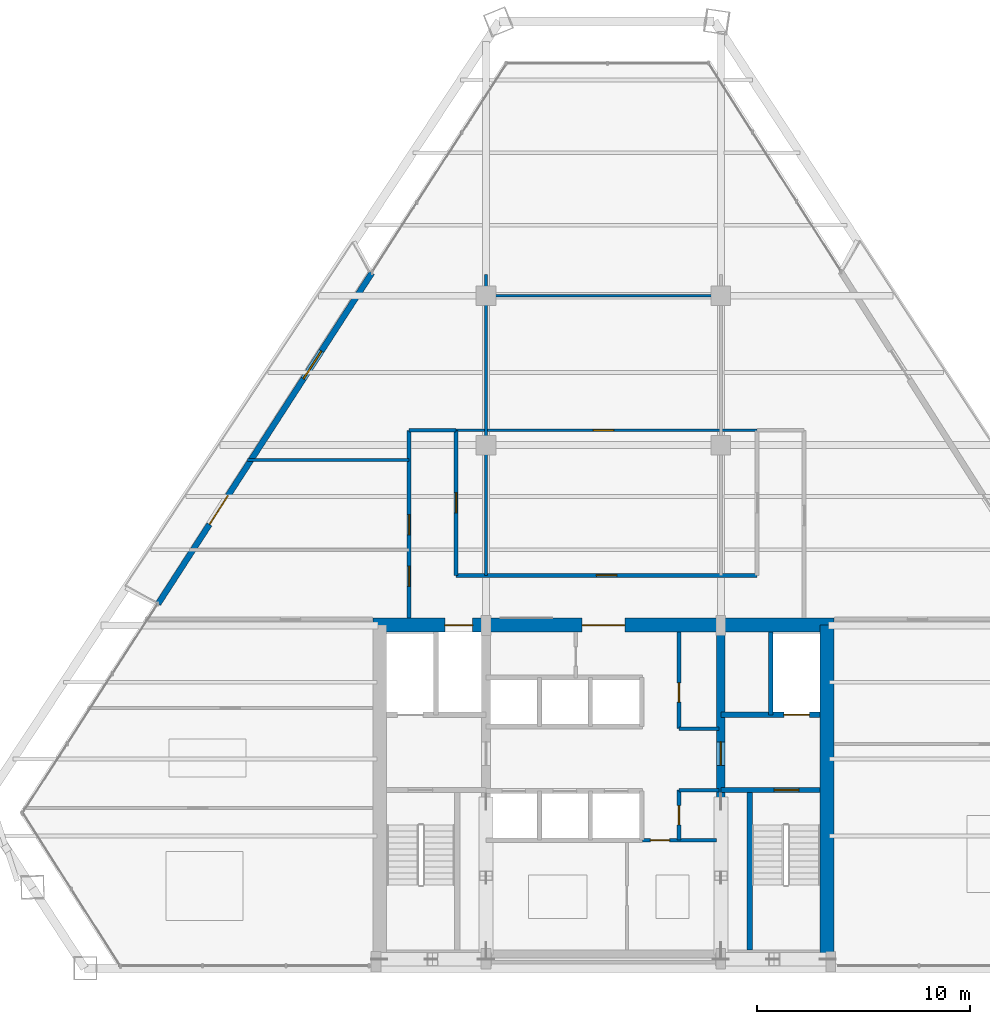
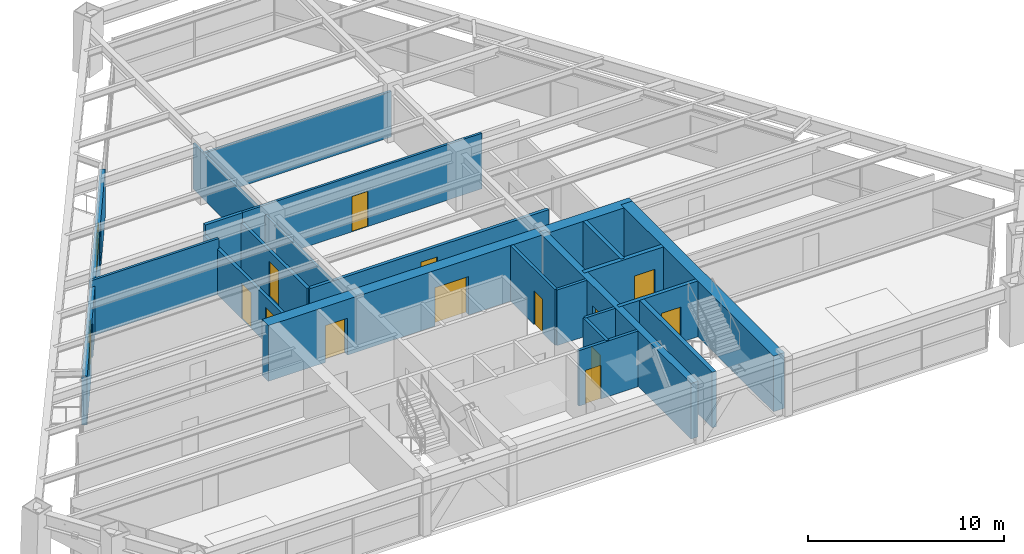
# One storey, part 12 of 15: 21 walls, 14 doors, 1 window, 15 openings.
"""IFC4 building model written with IfcOpenShell, lengths in metres."""

import ifcopenshell
import ifcopenshell.guid

model = None  # the IFC model being written
_history = None  # IfcOwnerHistory: only IFC2X3 demands one
_inside = {}  # id of a spatial element -> (the spatial element, [elements in it])
_under = {}  # id of a project, library or spatial element -> (it, [spatial elements below it])
_declared = {}  # id of a project -> (the project, [libraries it declares])
_typed = {}  # id of a type object -> (the type object, [elements of that type])
_made_of = {}  # id of a material, layer set ... -> (it, [elements and type objects made of it])


def new_model(schema):
    """Start an empty IFC model of exactly this schema.

    Asked for "IFC4X3", IfcOpenShell would pick the latest addendum, in which some entities
    have other attributes; the version numbers below select the first issue.
    IFC2X3 requires an IfcOwnerHistory on every rooted entity: one is made here for all.
    """
    global model, _history
    if schema == "IFC4X3":
        model = ifcopenshell.file(schema_version=(4, 3, 0, 0))
    else:
        model = ifcopenshell.file(schema=schema)
    _inside.clear()
    _under.clear()
    _declared.clear()
    _typed.clear()
    _made_of.clear()
    _history = None
    if model.schema == "IFC2X3":
        org = make("IfcOrganization", Name="unknown")
        user = make(
            "IfcPersonAndOrganization",
            ThePerson=make("IfcPerson", FamilyName="unknown"),
            TheOrganization=org,
        )
        app = make(
            "IfcApplication",
            ApplicationDeveloper=org,
            Version="unknown",
            ApplicationFullName="unknown",
            ApplicationIdentifier="unknown",
        )
        _history = make(
            "IfcOwnerHistory",
            OwningUser=user,
            OwningApplication=app,
            ChangeAction="ADDED",
            CreationDate=0,
        )
    return model


def make(cls, **values):
    """One entity of the class cls with the attributes given. An attribute that is None is left unset."""
    return model.create_entity(
        cls, **{name: value for name, value in values.items() if value is not None}
    )


def rooted(cls, **values):
    """An entity with a GlobalId (a new one), such as an element, a storey or a relation."""
    return make(cls, GlobalId=ifcopenshell.guid.new(), OwnerHistory=_history, **values)


def si_unit(unit_type, name, prefix=None):
    """IfcSIUnit, for example si_unit("LENGTHUNIT", "METRE", prefix="MILLI")."""
    return make("IfcSIUnit", UnitType=unit_type, Prefix=prefix, Name=name)


def assignment(units):
    """IfcUnitAssignment: the units of a project."""
    return None if units is None else make("IfcUnitAssignment", Units=units)


def point(xyz):
    """IfcCartesianPoint."""
    return None if xyz is None else make("IfcCartesianPoint", Coordinates=xyz)


def direction(xyz):
    """IfcDirection."""
    return None if xyz is None else make("IfcDirection", DirectionRatios=xyz)


def frame(location, z_axis=None, x_axis=None):
    """IfcAxis2Placement3D, a coordinate frame: its origin and axes. An axis left out is left unset."""
    return make(
        "IfcAxis2Placement3D",
        Location=point(location),
        Axis=direction(z_axis),
        RefDirection=direction(x_axis),
    )


def frame_2d(location, x_axis=None):
    """IfcAxis2Placement2D, a coordinate frame in the plane: its origin and x axis."""
    return make(
        "IfcAxis2Placement2D", Location=point(location), RefDirection=direction(x_axis)
    )


def origin():
    """The frame at (0, 0, 0) with its axes left unset."""
    return frame((0.0, 0.0, 0.0))


def place(relative_to, where):
    """IfcLocalPlacement: puts the frame where relative to a parent placement (None: the world)."""
    return make(
        "IfcLocalPlacement", PlacementRelTo=relative_to, RelativePlacement=where
    )


def context(
    kind, dimensions, precision=None, world=None, true_north=None, identifier=None
):
    """IfcGeometricRepresentationContext, for example the 3D "Model" context."""
    return make(
        "IfcGeometricRepresentationContext",
        ContextIdentifier=identifier,
        ContextType=kind,
        CoordinateSpaceDimension=dimensions,
        Precision=precision,
        WorldCoordinateSystem=world,
        TrueNorth=true_north,
    )


def subcontext(parent, identifier, kind, view, scale=None):
    """IfcGeometricRepresentationSubContext, for example "Body" below "Model"."""
    return make(
        "IfcGeometricRepresentationSubContext",
        ContextIdentifier=identifier,
        ContextType=kind,
        ParentContext=parent,
        TargetScale=scale,
        TargetView=view,
    )


def project(units=None, contexts=None):
    """IfcProject with its units and contexts."""
    return rooted(
        "IfcProject",
        Name="project",
        RepresentationContexts=contexts,
        UnitsInContext=assignment(units),
    )


def spatial(cls, under=None, at=None, **own):
    """A site, building, storey or space (cls), placed at a placement, below another one or the project."""
    s = rooted(cls, ObjectPlacement=at, **own)
    if under is not None:
        _under.setdefault(under.id(), (under, []))[1].append(s)
    return s


def profile(cls, at=None, kind="AREA", **sizes):
    """A parametric profile (cls). Its sizes go by their IFC names, for example OverallWidth=200.0."""
    return make(cls, ProfileType=kind, Position=at, **sizes)


def rectangle(**sizes):
    """IfcRectangleProfileDef."""
    return profile("IfcRectangleProfileDef", **sizes)


def extrude(swept, where, along, depth):
    """IfcExtrudedAreaSolid: the profile swept, set in the frame where, extruded along a direction by depth."""
    return make(
        "IfcExtrudedAreaSolid",
        SweptArea=swept,
        Position=where,
        ExtrudedDirection=direction(along),
        Depth=depth,
    )


def shape(context_of_items, identifier, shape_type, items):
    """IfcShapeRepresentation: the items that make up one representation, for example the "Body"."""
    return make(
        "IfcShapeRepresentation",
        ContextOfItems=context_of_items,
        RepresentationIdentifier=identifier,
        RepresentationType=shape_type,
        Items=items,
    )


def source(mapping_origin, context_of_items, identifier, shape_type, items):
    """IfcRepresentationMap: a shape defined once, which mapped items show again and again."""
    return make(
        "IfcRepresentationMap",
        MappingOrigin=mapping_origin,
        MappedRepresentation=shape(context_of_items, identifier, shape_type, items),
    )


def transform(
    local_origin,
    x_axis=None,
    y_axis=None,
    z_axis=None,
    scale=None,
    scale2=None,
    scale3=None,
    uniform=True,
):
    """IfcCartesianTransformationOperator3D, or its non-uniform kind. x_axis, y_axis, z_axis: its Axis1, 2, 3."""
    if uniform:
        return make(
            "IfcCartesianTransformationOperator3D",
            Axis1=direction(x_axis),
            Axis2=direction(y_axis),
            LocalOrigin=point(local_origin),
            Scale=scale,
            Axis3=direction(z_axis),
        )
    return make(
        "IfcCartesianTransformationOperator3DnonUniform",
        Axis1=direction(x_axis),
        Axis2=direction(y_axis),
        LocalOrigin=point(local_origin),
        Scale=scale,
        Axis3=direction(z_axis),
        Scale2=scale2,
        Scale3=scale3,
    )


def mapped(mapping_source, mapping_target):
    """IfcMappedItem: shows the shape of a source again, moved by a transform."""
    return make(
        "IfcMappedItem", MappingSource=mapping_source, MappingTarget=mapping_target
    )


def material(Name=None, Category=None):
    """IfcMaterial."""
    return make("IfcMaterial", Name=Name, Category=Category)


def layer(
    of_material, thickness, ventilated=None, Name=None, Category=None, Priority=None
):
    """IfcMaterialLayer: one layer of a wall or slab, of a material (None: an air gap)."""
    return make(
        "IfcMaterialLayer",
        Material=of_material,
        LayerThickness=thickness,
        IsVentilated=ventilated,
        Name=Name,
        Category=Category,
        Priority=Priority,
    )


def layer_set(layers, Name=None):
    """IfcMaterialLayerSet."""
    return make("IfcMaterialLayerSet", MaterialLayers=layers, LayerSetName=Name)


def made_of(thing, what):
    """Note that an element or type object is made of a material, layer set ...; save() writes the relation."""
    if what is not None:
        _made_of.setdefault(what.id(), (what, []))[1].append(thing)
    return thing


def type_object(cls, material=None, **own):
    """A type object (cls), such as IfcWallType, which elements share."""
    return made_of(rooted(cls, **own), material)


def type_shapes(of_type, sources):
    """Give a type object the sources (RepresentationMaps) that its elements show as mapped items."""
    of_type.RepresentationMaps = sources


def element(
    cls,
    number,
    at=None,
    inside=None,
    cuts=None,
    type_object=None,
    material=None,
    context=None,
    identifier="Body",
    shape_type=None,
    held_by="IfcProductDefinitionShape",
    body=None,
    shapes=None,
    **own,
):
    """One element of the class cls, such as IfcWall. Its Tag is "e" and its number.

    at: its placement. inside: the storey or other place that contains it. cuts: it is an
    opening in that element (IfcRelVoidsElement). A single representation is given by context,
    identifier, shape_type and body (its items); several are given by shapes. held_by: the class
    of the entity that holds the representations. save() writes the other relations.
    """
    e = rooted(cls, Tag="e%d" % number, ObjectPlacement=at, **own)
    if body is not None:
        shapes = [shape(context, identifier, shape_type, body)]
    if shapes is not None:
        e.Representation = make(held_by, Representations=shapes)
    if inside is not None:
        _inside.setdefault(inside.id(), (inside, []))[1].append(e)
    if cuts is not None:
        rooted(
            "IfcRelVoidsElement", RelatingBuildingElement=cuts, RelatedOpeningElement=e
        )
    if type_object is not None:
        _typed.setdefault(type_object.id(), (type_object, []))[1].append(e)
    return made_of(e, material)


def fill(opening, filler):
    """IfcRelFillsElement: the door or window that sits in an opening."""
    return rooted(
        "IfcRelFillsElement",
        RelatingOpeningElement=opening,
        RelatedBuildingElement=filler,
    )


def aggregate(whole, parts):
    """IfcRelAggregates: a whole, such as a stair, and the parts it consists of."""
    return rooted("IfcRelAggregates", RelatingObject=whole, RelatedObjects=parts)


def save(model, path):
    """Write the relations noted so far, then the file.

    IfcRelAggregates (storeys below a building ...), IfcRelContainedInSpatialStructure (elements
    in a storey), IfcRelDefinesByType, IfcRelAssociatesMaterial and IfcRelDeclares: one each for
    every whole, place, type object, material and project.
    """
    for whole, parts in _under.values():
        aggregate(whole, parts)
    for where, things in _inside.values():
        rooted(
            "IfcRelContainedInSpatialStructure",
            RelatedElements=things,
            RelatingStructure=where,
        )
    for kind, things in _typed.values():
        rooted("IfcRelDefinesByType", RelatedObjects=things, RelatingType=kind)
    for what, things in _made_of.values():
        rooted("IfcRelAssociatesMaterial", RelatedObjects=things, RelatingMaterial=what)
    for by, libraries in _declared.values():
        rooted("IfcRelDeclares", RelatingContext=by, RelatedDefinitions=libraries)
    model.write(path)


model = new_model("IFC4")

# Units and contexts
model_context = context("Model", 3, precision=1e-05, world=origin(), true_north=direction((0.0, 1.0)))
body_context = subcontext(model_context, "Body", "Model", "MODEL_VIEW")
ifc_project = project(units=[si_unit("LENGTHUNIT", "METRE"), si_unit("AREAUNIT", "SQUARE_METRE"), si_unit("VOLUMEUNIT", "CUBIC_METRE"), si_unit("PLANEANGLEUNIT", "RADIAN"), si_unit("MASSUNIT", "GRAM", prefix="KILO")], contexts=[model_context])

# Site, building, storey
site_placement = place(None, origin())
site = spatial("IfcSite", under=ifc_project, at=site_placement, CompositionType="ELEMENT")
building_placement = place(site_placement, origin())
building = spatial("IfcBuilding", under=site, at=building_placement, Name="Varnakhor Terracotta Tower", CompositionType="ELEMENT")
storey_placement = place(building_placement, frame((0.0, 0.0, 147.800048828125)))
storey = spatial("IfcBuildingStorey", under=building, at=storey_placement, Name="L37", CompositionType="ELEMENT", Elevation=147.800048828125)

# Wall, openings, doors
ifc_material_1 = material(Name="Concrete C50/60", Category="concrete")
ifc_layer_1 = layer(ifc_material_1, 0.64990234375, Name="Concrete C50/60")
ifc_layer_set_1 = layer_set([ifc_layer_1], Name="Concrete C50/60")
wall_type_1 = type_object("IfcWallType", Name="WAL-CORE-650", PredefinedType="SHEAR", material=ifc_layer_set_1)
wall_1_placement = place(storey_placement, frame((-10.800048828125, 16.074951171875, 0.0), z_axis=(0.0, 0.0, 1.0), x_axis=(1.0, 0.0, 0.0)))
wall_1 = element("IfcWall", 1, at=wall_1_placement, inside=storey, type_object=wall_type_1, Name="L37 North Core Shear Wall", PredefinedType="SHEAR", context=body_context, shape_type="SweptSolid", body=[
    extrude(rectangle(XDim=21.60009765625, YDim=0.64990234375, at=frame_2d((10.800048828125, 0.0))), origin(), (0.0, 0.0, 1.0), 3.469970703125),
])
opening_1_placement = place(wall_1_placement, frame((3.3701171875, 0.0, 0.0)))
opening_1 = element("IfcOpeningElement", 2, at=opening_1_placement, cuts=wall_1, Name="Opening LD-03", PredefinedType="OPENING", context=body_context, shape_type="SweptSolid", body=[
    extrude(rectangle(XDim=1.300048828125, YDim=2.300048828125, at=frame_2d((0.64990234375, 1.14990234375))), frame((0.0, 0.3349609375, 0.0), z_axis=(0.0, -1.0, 0.0), x_axis=(1.0, 0.0, 0.0)), (0.0, 0.0, 1.0), 0.669921875),
])
opening_2_placement = place(wall_1_placement, frame((9.800048828125, 0.0, 0.0)))
opening_2 = element("IfcOpeningElement", 3, at=opening_2_placement, cuts=wall_1, Name="Opening DR-32", PredefinedType="OPENING", context=body_context, shape_type="SweptSolid", body=[
    extrude(rectangle(XDim=2.0, YDim=2.39990234375, at=frame_2d((1.0, 1.199951171875))), frame((0.0, 0.3349609375, 0.0), z_axis=(0.0, -1.0, 0.0), x_axis=(1.0, 0.0, 0.0)), (0.0, 0.0, 1.0), 0.669921875),
])
ifc_material_2 = material(Name="Heavy-Duty Goods Sliding Lift Landing Door", Category="steel")
door_type_1 = type_object("IfcDoorType", Name="LD-SRV-1300X2300", OperationType="NOTDEFINED", PredefinedType="DOOR", material=ifc_material_2)
shared_shape_1 = source(origin(), body_context, "Body", "SweptSolid", [
    extrude(rectangle(XDim=1.300048828125, YDim=2.300048828125, at=frame_2d((0.64990234375, 1.14990234375))), frame((0.0, 0.02490234375, 0.0), z_axis=(0.0, -1.0, 0.0), x_axis=(1.0, 0.0, 0.0)), (0.0, 0.0, 1.0), 0.050048828125),
])
type_shapes(door_type_1, [shared_shape_1])
door_1_placement = place(opening_1_placement, origin())
door_1 = element("IfcDoor", 4, at=door_1_placement, inside=storey, type_object=door_type_1, Name="L37 Service Lift SVL-1 Landing Door", OperationType="SLIDING_TO_RIGHT", OverallHeight=2.300048828125, OverallWidth=1.300048828125, PredefinedType="DOOR", context=body_context, shape_type="MappedRepresentation", body=[
    mapped(shared_shape_1, transform((0.0, 0.0, 0.0), scale=1.0)),
])
fill(opening_1, door_1)
ifc_material_3 = material(Name="Acoustic Double Assembly Fire Door", Category="wood")
door_type_2 = type_object("IfcDoorType", Name="DR-HALL-2000X2400", OperationType="NOTDEFINED", PredefinedType="DOOR", material=ifc_material_3)
shared_shape_2 = source(origin(), body_context, "Body", "SweptSolid", [
    extrude(rectangle(XDim=2.0, YDim=2.39990234375, at=frame_2d((1.0, 1.199951171875))), frame((0.0, 0.02490234375, 0.0), z_axis=(0.0, -1.0, 0.0), x_axis=(1.0, 0.0, 0.0)), (0.0, 0.0, 1.0), 0.050048828125),
])
type_shapes(door_type_2, [shared_shape_2])
door_2_placement = place(opening_2_placement, origin())
door_2 = element("IfcDoor", 5, at=door_2_placement, inside=storey, type_object=door_type_2, Name="L37 Core Main Lobby Double Door", OperationType="DOUBLE_DOOR_SINGLE_SWING", OverallHeight=2.39990234375, OverallWidth=2.0, PredefinedType="DOOR", context=body_context, shape_type="MappedRepresentation", body=[
    mapped(shared_shape_2, transform((0.0, 0.0, 0.0), scale=1.0)),
])
fill(opening_2, door_2)

# Wall
wall_2_placement = place(storey_placement, frame((10.47509765625, 0.52490234375, 0.0), z_axis=(0.0, 0.0, 1.0), x_axis=(0.0, 1.0, 0.0)))
element("IfcWall", 6, at=wall_2_placement, inside=storey, type_object=wall_type_1, Name="L37 East Core Shear Wall", PredefinedType="SHEAR", context=body_context, shape_type="SweptSolid", body=[
    extrude(rectangle(XDim=15.550048828125, YDim=0.64990234375, at=frame_2d((7.77490234375, 0.0))), origin(), (0.0, 0.0, 1.0), 3.469970703125),
])

# Wall, opening, door
ifc_layer_2 = layer(ifc_material_1, 0.39990234375, Name="Concrete C50/60")
ifc_layer_set_2 = layer_set([ifc_layer_2], Name="Concrete C50/60")
wall_type_2 = type_object("IfcWallType", Name="WAL-CORE-WEB-400", PredefinedType="SHEAR", material=ifc_layer_set_2)
wall_3_placement = place(storey_placement, frame((5.5, 0.52490234375, 0.0), z_axis=(0.0, 0.0, 1.0), x_axis=(0.0, 1.0, 0.0)))
wall_3 = element("IfcWall", 7, at=wall_3_placement, inside=storey, type_object=wall_type_2, Name="L37 East Core Web Shear Wall", PredefinedType="SHEAR", context=body_context, shape_type="SweptSolid", body=[
    extrude(rectangle(XDim=15.550048828125, YDim=0.39990234375, at=frame_2d((7.77490234375, 0.0))), origin(), (0.0, 0.0, 1.0), 3.469970703125),
])
opening_3_placement = place(wall_3_placement, frame((8.97509765625, 0.0, 0.0)))
opening_3 = element("IfcOpeningElement", 8, at=opening_3_placement, cuts=wall_3, Name="Opening DR-25", PredefinedType="OPENING", context=body_context, shape_type="SweptSolid", body=[
    extrude(rectangle(XDim=1.10009765625, YDim=2.199951171875, at=frame_2d((0.550048828125, 1.10009765625))), frame((0.0, 0.2099609375, 0.0), z_axis=(0.0, -1.0, 0.0), x_axis=(1.0, 0.0, 0.0)), (0.0, 0.0, 1.0), 0.419921875),
])
ifc_material_4 = material(Name="Firefighting Lobby Self-Closing Fire Door", Category="steel")
door_type_3 = type_object("IfcDoorType", Name="DR-FFL-1100X2200", OperationType="NOTDEFINED", PredefinedType="DOOR", material=ifc_material_4)
shared_shape_3 = source(origin(), body_context, "Body", "SweptSolid", [
    extrude(rectangle(XDim=1.10009765625, YDim=2.199951171875, at=frame_2d((0.550048828125, 1.10009765625))), frame((0.0, 0.02490234375, 0.0), z_axis=(0.0, -1.0, 0.0), x_axis=(1.0, 0.0, 0.0)), (0.0, 0.0, 1.0), 0.050048828125),
])
type_shapes(door_type_3, [shared_shape_3])
door_3_placement = place(opening_3_placement, origin())
door_3 = element("IfcDoor", 9, at=door_3_placement, inside=storey, type_object=door_type_3, Name="L37 East Firefighting Lobby Door", OperationType="SINGLE_SWING_LEFT", OverallHeight=2.199951171875, OverallWidth=1.10009765625, PredefinedType="DOOR", context=body_context, shape_type="MappedRepresentation", body=[
    mapped(shared_shape_3, transform((0.0, 0.0, 0.0), scale=1.0)),
])
fill(opening_3, door_3)

ifc_material_5 = material(Name="Fire-Rated Gypsum Stud Partition", Category="gypsum")
ifc_layer_3 = layer(ifc_material_5, 0.18505859375, Name="Fire-Rated Gypsum Stud Partition")
ifc_layer_set_3 = layer_set([ifc_layer_3], Name="Fire-Rated Gypsum Stud Partition")
wall_type_3 = type_object("IfcWallType", Name="WAL-CORR-185", PredefinedType="PARTITIONING", material=ifc_layer_set_3)
wall_4_placement = place(storey_placement, frame((-6.89990234375, 18.39990234375, 0.0), z_axis=(0.0, 0.0, 1.0), x_axis=(1.0, 0.0, 0.0)))
wall_4 = element("IfcWall", 10, at=wall_4_placement, inside=storey, type_object=wall_type_3, Name="L37 Central Gallery Link Wall", PredefinedType="PARTITIONING", context=body_context, shape_type="SweptSolid", body=[
    extrude(rectangle(XDim=14.099853515625, YDim=0.18505859375, at=frame_2d((7.0498046875, 0.0))), origin(), (0.0, 0.0, 1.0), 2.845947265625),
])
opening_4_placement = place(wall_4_placement, frame((6.574951171875, 0.0, 0.0)))
opening_4 = element("IfcOpeningElement", 11, at=opening_4_placement, cuts=wall_4, Name="Opening DR-94", PredefinedType="OPENING", context=body_context, shape_type="SweptSolid", body=[
    extrude(rectangle(XDim=0.949951171875, YDim=2.199951171875, at=frame_2d((0.47509765625, 1.10009765625))), frame((0.0, 0.1025390625, 0.0), z_axis=(0.0, -1.0, 0.0), x_axis=(1.0, 0.0, 0.0)), (0.0, 0.0, 1.0), 0.205078125),
])
ifc_material_6 = material(Name="Acoustic Glazed-Vision Timber Office Door", Category="wood")
door_type_4 = type_object("IfcDoorType", Name="DR-OFF-950X2200", OperationType="NOTDEFINED", PredefinedType="DOOR", material=ifc_material_6)
shared_shape_4 = source(origin(), body_context, "Body", "SweptSolid", [
    extrude(rectangle(XDim=0.949951171875, YDim=2.199951171875, at=frame_2d((0.47509765625, 1.10009765625))), frame((0.0, 0.02490234375, 0.0), z_axis=(0.0, -1.0, 0.0), x_axis=(1.0, 0.0, 0.0)), (0.0, 0.0, 1.0), 0.050048828125),
])
type_shapes(door_type_4, [shared_shape_4])
door_4_placement = place(opening_4_placement, origin())
door_4 = element("IfcDoor", 12, at=door_4_placement, inside=storey, type_object=door_type_4, Name="L37 Center Suite Door", OperationType="SINGLE_SWING_LEFT", OverallHeight=2.199951171875, OverallWidth=0.949951171875, PredefinedType="DOOR", context=body_context, shape_type="MappedRepresentation", body=[
    mapped(shared_shape_4, transform((0.0, 0.0, 0.0), scale=1.0)),
])
fill(opening_4, door_4)

wall_5_placement = place(storey_placement, frame((-6.89990234375, 18.39990234375, 0.0), z_axis=(0.0, 0.0, 1.0), x_axis=(0.0, 1.0, 0.0)))
wall_5 = element("IfcWall", 13, at=wall_5_placement, inside=storey, type_object=wall_type_3, Name="L37 West Gallery Inner Wall", PredefinedType="PARTITIONING", context=body_context, shape_type="SweptSolid", body=[
    extrude(rectangle(XDim=6.800048828125, YDim=0.18505859375, at=frame_2d((3.39990234375, 0.0))), origin(), (0.0, 0.0, 1.0), 2.845947265625),
])
opening_5_placement = place(wall_5_placement, frame((2.925048828125, 0.0, 0.0)))
opening_5 = element("IfcOpeningElement", 14, at=opening_5_placement, cuts=wall_5, Name="Opening DR-94", PredefinedType="OPENING", context=body_context, shape_type="SweptSolid", body=[
    extrude(rectangle(XDim=0.949951171875, YDim=2.199951171875, at=frame_2d((0.47509765625, 1.10009765625))), frame((0.0, 0.1025390625, 0.0), z_axis=(0.0, -1.0, 0.0), x_axis=(1.0, 0.0, 0.0)), (0.0, 0.0, 1.0), 0.205078125),
])
door_5_placement = place(opening_5_placement, origin())
door_5 = element("IfcDoor", 15, at=door_5_placement, inside=storey, type_object=door_type_4, Name="L37 Wellness Lounge 4 B9 Door", OperationType="SINGLE_SWING_RIGHT", OverallHeight=2.199951171875, OverallWidth=0.949951171875, PredefinedType="DOOR", context=body_context, shape_type="MappedRepresentation", body=[
    mapped(shared_shape_4, transform((0.0, 0.0, 0.0), scale=1.0)),
])
fill(opening_5, door_5)

# Wall, openings, doors
wall_6_placement = place(storey_placement, frame((-9.10009765625, 16.39990234375, 0.0), z_axis=(0.0, 0.0, 1.0), x_axis=(0.0, 1.0, 0.0)))
wall_6 = element("IfcWall", 16, at=wall_6_placement, inside=storey, type_object=wall_type_3, Name="L37 West Gallery Outer Wall", PredefinedType="PARTITIONING", context=body_context, shape_type="SweptSolid", body=[
    extrude(rectangle(XDim=8.800048828125, YDim=0.18505859375, at=frame_2d((4.39990234375, 0.0))), origin(), (0.0, 0.0, 1.0), 2.845947265625),
])
opening_6_placement = place(wall_6_placement, frame((3.902587890625, 0.0, 0.0)))
opening_6 = element("IfcOpeningElement", 17, at=opening_6_placement, cuts=wall_6, Name="Opening DR-94", PredefinedType="OPENING", context=body_context, shape_type="SweptSolid", body=[
    extrude(rectangle(XDim=0.949951171875, YDim=2.199951171875, at=frame_2d((0.47509765625, 1.10009765625))), frame((0.0, 0.1025390625, 0.0), z_axis=(0.0, -1.0, 0.0), x_axis=(1.0, 0.0, 0.0)), (0.0, 0.0, 1.0), 0.205078125),
])
opening_7_placement = place(wall_6_placement, frame((1.4873046875, 0.0, 0.0)))
opening_7 = element("IfcOpeningElement", 18, at=opening_7_placement, cuts=wall_6, Name="Opening DR-94", PredefinedType="OPENING", context=body_context, shape_type="SweptSolid", body=[
    extrude(rectangle(XDim=0.949951171875, YDim=2.199951171875, at=frame_2d((0.47509765625, 1.10009765625))), frame((0.0, 0.1025390625, 0.0), z_axis=(0.0, -1.0, 0.0), x_axis=(1.0, 0.0, 0.0)), (0.0, 0.0, 1.0), 0.205078125),
])
door_6_placement = place(opening_6_placement, origin())
door_6 = element("IfcDoor", 19, at=door_6_placement, inside=storey, type_object=door_type_4, Name="L37 West Wing Door", OperationType="SINGLE_SWING_RIGHT", OverallHeight=2.199951171875, OverallWidth=0.949951171875, PredefinedType="DOOR", context=body_context, shape_type="MappedRepresentation", body=[
    mapped(shared_shape_4, transform((0.0, 0.0, 0.0), scale=1.0)),
])
fill(opening_6, door_6)
door_7_placement = place(opening_7_placement, origin())
door_7 = element("IfcDoor", 20, at=door_7_placement, inside=storey, type_object=door_type_4, Name="L37 Staff Dining Kitchen 1 Door", OperationType="SINGLE_SWING_LEFT", OverallHeight=2.199951171875, OverallWidth=0.949951171875, PredefinedType="DOOR", context=body_context, shape_type="MappedRepresentation", body=[
    mapped(shared_shape_4, transform((0.0, 0.0, 0.0), scale=1.0)),
])
fill(opening_7, door_7)

# Wall
wall_7_placement = place(storey_placement, frame((-9.10009765625, 25.199951171875, 0.0), z_axis=(0.0, 0.0, 1.0), x_axis=(1.0, 0.0, 0.0)))
element("IfcWall", 21, at=wall_7_placement, inside=storey, type_object=wall_type_3, Name="L37 West Gallery North End", PredefinedType="PARTITIONING", context=body_context, shape_type="SweptSolid", body=[
    extrude(rectangle(XDim=2.2001953125, YDim=0.18505859375, at=frame_2d((1.10009765625, 0.0))), origin(), (0.0, 0.0, 1.0), 3.4619140625),
])

# Wall, openings, door, window
ifc_material_7 = material(Name="Extruded Architectural Terracotta Assembly", Category="masonry")
ifc_layer_4 = layer(ifc_material_7, 0.280029296875, Name="Extruded Architectural Terracotta Assembly")
ifc_layer_set_4 = layer_set([ifc_layer_4], Name="Extruded Architectural Terracotta Assembly")
wall_type_4 = type_object("IfcWallType", Name="WAL-EXT-TERRACOTTA-280", PredefinedType="SOLIDWALL", material=ifc_layer_set_4)
wall_8_placement = place(storey_placement, frame((-20.85498046875, 17.073974609375, 0.0), z_axis=(0.0, 0.0, 1.0), x_axis=(0.542622723872, 0.839976535112, 0.0)))
wall_8 = element("IfcWall", 22, at=wall_8_placement, inside=storey, type_object=wall_type_4, Name="L37 W Loggia Insulated Terracotta Wall", PredefinedType="SOLIDWALL", context=body_context, shape_type="SweptSolid", body=[
    extrude(rectangle(XDim=18.44482421875, YDim=0.280029296875, at=frame_2d((9.222412109375, 0.0))), origin(), (0.0, 0.0, 1.0), 3.050048828125),
])
opening_8_placement = place(wall_8_placement, frame((4.4267578125, 0.0, 0.0)))
opening_8 = element("IfcOpeningElement", 23, at=opening_8_placement, cuts=wall_8, Name="Opening DR-62", PredefinedType="OPENING", context=body_context, shape_type="SweptSolid", body=[
    extrude(rectangle(XDim=1.60009765625, YDim=2.35009765625, at=frame_2d((0.800048828125, 1.175048828125))), frame((0.0, 0.14990234375, 0.0), z_axis=(0.0, -1.0, 0.0), x_axis=(1.0, 0.0, 0.0)), (0.0, 0.0, 1.0), 0.300048828125),
])
opening_9_placement = place(wall_8_placement, frame((12.54248046875, 0.0, 0.89990234375)))
opening_9 = element("IfcOpeningElement", 24, at=opening_9_placement, cuts=wall_8, Name="Opening WN-57", PredefinedType="OPENING", context=body_context, shape_type="SweptSolid", body=[
    extrude(rectangle(XDim=1.550048828125, YDim=1.85009765625, at=frame_2d((0.77490234375, 0.925048828125))), frame((0.0, 0.14990234375, 0.0), z_axis=(0.0, -1.0, 0.0), x_axis=(1.0, 0.0, 0.0)), (0.0, 0.0, 1.0), 0.300048828125),
])
ifc_material_8 = material(Name="Thermally Broken Sliding Glass Loggia Door", Category="glass")
door_type_5 = type_object("IfcDoorType", Name="DR-EXT-LOGGIA-1600X2350", OperationType="NOTDEFINED", PredefinedType="DOOR", material=ifc_material_8)
shared_shape_5 = source(origin(), body_context, "Body", "SweptSolid", [
    extrude(rectangle(XDim=1.60009765625, YDim=2.35009765625, at=frame_2d((0.800048828125, 1.175048828125))), frame((0.0, 0.02490234375, 0.0), z_axis=(0.0, -1.0, 0.0), x_axis=(1.0, 0.0, 0.0)), (0.0, 0.0, 1.0), 0.050048828125),
])
type_shapes(door_type_5, [shared_shape_5])
door_8_placement = place(opening_8_placement, origin())
door_8 = element("IfcDoor", 25, at=door_8_placement, inside=storey, type_object=door_type_5, Name="L37 W Recessed Loggia Sliding Door", OperationType="SLIDING_TO_LEFT", OverallHeight=2.35009765625, OverallWidth=1.60009765625, PredefinedType="DOOR", context=body_context, shape_type="MappedRepresentation", body=[
    mapped(shared_shape_5, transform((0.0, 0.0, 0.0), scale=1.0)),
])
fill(opening_8, door_8)
ifc_material_9 = material(Name="Solar-Control Low-E Insulated Glass Unit", Category="glass")
window_type = type_object("IfcWindowType", Name="WIN-OFF-1650X2100", PartitioningType="SINGLE_PANEL", PredefinedType="WINDOW", material=ifc_material_9)
shared_shape_6 = source(origin(), body_context, "Body", "SweptSolid", [
    extrude(rectangle(XDim=1.550048828125, YDim=1.85009765625, at=frame_2d((0.77490234375, 0.925048828125))), frame((0.0, 0.030029296875, 0.0), z_axis=(0.0, -1.0, 0.0), x_axis=(1.0, 0.0, 0.0)), (0.0, 0.0, 1.0), 0.06005859375),
])
type_shapes(window_type, [shared_shape_6])
window_placement = place(opening_9_placement, origin())
window = element("IfcWindow", 26, at=window_placement, inside=storey, type_object=window_type, Name="L37 W Facet Punched Window", OverallHeight=1.85009765625, OverallWidth=1.550048828125, PartitioningType="SINGLE_PANEL", PredefinedType="WINDOW", context=body_context, shape_type="MappedRepresentation", body=[
    mapped(shared_shape_6, transform((0.0, 0.0, 0.0), scale=1.0)),
])
fill(opening_9, window)

# Wall, opening, door
ifc_material_10 = material(Name="Concrete C40/50", Category="concrete")
ifc_layer_5 = layer(ifc_material_10, 0.219970703125, Name="Concrete C40/50")
ifc_layer_set_5 = layer_set([ifc_layer_5], Name="Concrete C40/50")
wall_type_5 = type_object("IfcWallType", Name="WAL-FFLOBBY-220", PredefinedType="SOLIDWALL", material=ifc_layer_set_5)
wall_9_placement = place(storey_placement, frame((10.14990234375, 8.35009765625, 0.0), z_axis=(0.0, 0.0, 1.0), x_axis=(-1.0, 0.0, 0.0)))
wall_9 = element("IfcWall", 27, at=wall_9_placement, inside=storey, type_object=wall_type_5, Name="L37 East Firefighting Lobby Stair Wall", PredefinedType="SOLIDWALL", context=body_context, shape_type="SweptSolid", body=[
    extrude(rectangle(XDim=4.64990234375, YDim=0.219970703125, at=frame_2d((2.324951171875, 0.0))), origin(), (0.0, 0.0, 1.0), 3.469970703125),
])
opening_10_placement = place(wall_9_placement, frame((1.0, 0.0, 0.0)))
opening_10 = element("IfcOpeningElement", 28, at=opening_10_placement, cuts=wall_9, Name="Opening DR-34", PredefinedType="OPENING", context=body_context, shape_type="SweptSolid", body=[
    extrude(rectangle(XDim=1.14990234375, YDim=2.199951171875, at=frame_2d((0.574951171875, 1.10009765625))), frame((0.0, 0.1201171875, 0.0), z_axis=(0.0, -1.0, 0.0), x_axis=(1.0, 0.0, 0.0)), (0.0, 0.0, 1.0), 0.239990234375),
])
ifc_material_11 = material(Name="Self-Closing Smoke-Sealed Steel Fire Door", Category="steel")
door_type_6 = type_object("IfcDoorType", Name="DR-STAIR-1150X2200", OperationType="NOTDEFINED", PredefinedType="DOOR", material=ifc_material_11)
shared_shape_7 = source(origin(), body_context, "Body", "SweptSolid", [
    extrude(rectangle(XDim=1.14990234375, YDim=2.199951171875, at=frame_2d((0.574951171875, 1.10009765625))), frame((0.0, 0.02490234375, 0.0), z_axis=(0.0, -1.0, 0.0), x_axis=(1.0, 0.0, 0.0)), (0.0, 0.0, 1.0), 0.050048828125),
])
type_shapes(door_type_6, [shared_shape_7])
door_9_placement = place(opening_10_placement, origin())
door_9 = element("IfcDoor", 29, at=door_9_placement, inside=storey, type_object=door_type_6, Name="L37 Exit Stair ST-2 Fire Door", OperationType="SINGLE_SWING_RIGHT", OverallHeight=2.199951171875, OverallWidth=1.14990234375, PredefinedType="DOOR", context=body_context, shape_type="MappedRepresentation", body=[
    mapped(shared_shape_7, transform((0.0, 0.0, 0.0), scale=1.0)),
])
fill(opening_10, door_9)

ifc_material_12 = material(Name="Acoustic Metal-Stud Partition", Category="gypsum")
ifc_layer_6 = layer(ifc_material_12, 0.139892578125, Name="Acoustic Metal-Stud Partition")
ifc_layer_set_6 = layer_set([ifc_layer_6], Name="Acoustic Metal-Stud Partition")
wall_type_6 = type_object("IfcWallType", Name="WAL-PART-140", PredefinedType="PARTITIONING", material=ifc_layer_set_6)
wall_10_placement = place(storey_placement, frame((-6.89990234375, 25.199951171875, 0.0), z_axis=(0.0, 0.0, 1.0), x_axis=(1.0, 0.0, 0.0)))
wall_10 = element("IfcWall", 30, at=wall_10_placement, inside=storey, type_object=wall_type_6, Name="L37 Gallery Center Cap Wall", PredefinedType="PARTITIONING", context=body_context, shape_type="SweptSolid", body=[
    extrude(rectangle(XDim=14.099853515625, YDim=0.139892578125, at=frame_2d((7.0498046875, 0.0))), origin(), (0.0, 0.0, 1.0), 3.4619140625),
])
opening_11_placement = place(wall_10_placement, frame((6.43212890625, 0.0, 0.0)))
opening_11 = element("IfcOpeningElement", 31, at=opening_11_placement, cuts=wall_10, Name="Opening DR-94", PredefinedType="OPENING", context=body_context, shape_type="SweptSolid", body=[
    extrude(rectangle(XDim=0.949951171875, YDim=2.199951171875, at=frame_2d((0.47509765625, 1.10009765625))), frame((0.0, 0.080078125, 0.0), z_axis=(0.0, -1.0, 0.0), x_axis=(1.0, 0.0, 0.0)), (0.0, 0.0, 1.0), 0.159912109375),
])
door_10_placement = place(opening_11_placement, origin())
door_10 = element("IfcDoor", 32, at=door_10_placement, inside=storey, type_object=door_type_4, Name="L37 Reading Lounge 3 Door", OperationType="SINGLE_SWING_RIGHT", OverallHeight=2.199951171875, OverallWidth=0.949951171875, PredefinedType="DOOR", context=body_context, shape_type="MappedRepresentation", body=[
    mapped(shared_shape_4, transform((0.0, 0.0, 0.0), scale=1.0)),
])
fill(opening_11, door_10)

# Walls
wall_11_placement = place(storey_placement, frame((-5.5, 18.39990234375, 0.0), z_axis=(0.0, 0.0, 1.0), x_axis=(0.0, 1.0, 0.0)))
element("IfcWall", 33, at=wall_11_placement, inside=storey, type_object=wall_type_6, Name="L37 Center West Column Wall", PredefinedType="PARTITIONING", context=body_context, shape_type="SweptSolid", body=[
    extrude(rectangle(XDim=14.10009765625, YDim=0.139892578125, at=frame_2d((7.050048828125, 0.0))), origin(), (0.0, 0.0, 1.0), 2.845947265625),
])
wall_12_placement = place(storey_placement, frame((-5.5, 31.5, 0.0), z_axis=(0.0, 0.0, 1.0), x_axis=(1.0, 0.0, 0.0)))
element("IfcWall", 34, at=wall_12_placement, inside=storey, type_object=wall_type_6, Name="L37 Center Cross Cut 1", PredefinedType="PARTITIONING", context=body_context, shape_type="SweptSolid", body=[
    extrude(rectangle(XDim=11.0, YDim=0.139892578125, at=frame_2d((5.5, 0.0))), origin(), (0.0, 0.0, 1.0), 2.845947265625),
])
wall_13_placement = place(storey_placement, frame((-16.664794921875, 23.800048828125, 0.0), z_axis=(0.0, 0.0, 1.0), x_axis=(1.0, 0.0, 0.0)))
element("IfcWall", 35, at=wall_13_placement, inside=storey, type_object=wall_type_6, Name="L37 West Wing Cut 4", PredefinedType="PARTITIONING", context=body_context, shape_type="SweptSolid", body=[
    extrude(rectangle(XDim=7.564697265625, YDim=0.139892578125, at=frame_2d((3.7822265625, 0.0))), origin(), (0.0, 0.0, 1.0), 3.4619140625),
])
ifc_layer_7 = layer(ifc_material_10, 0.219970703125, Name="Concrete C40/50")
ifc_layer_set_7 = layer_set([ifc_layer_7], Name="Concrete C40/50")
wall_type_7 = type_object("IfcWallType", Name="WAL-SHAFT-220", PredefinedType="SOLIDWALL", material=ifc_layer_set_7)
wall_14_placement = place(storey_placement, frame((7.840087890625, 11.8701171875, 0.0), z_axis=(0.0, 0.0, 1.0), x_axis=(0.0, 1.0, 0.0)))
element("IfcWall", 36, at=wall_14_placement, inside=storey, type_object=wall_type_7, Name="L37 Lift FFL-2 and Riser Divider Wall", PredefinedType="SOLIDWALL", context=body_context, shape_type="SweptSolid", body=[
    extrude(rectangle(XDim=3.8798828125, YDim=0.219970703125, at=frame_2d((1.93994140625, 0.0))), origin(), (0.0, 0.0, 1.0), 3.469970703125),
])
ifc_layer_8 = layer(ifc_material_10, 0.25, Name="Concrete C40/50")
ifc_layer_set_8 = layer_set([ifc_layer_8], Name="Concrete C40/50")
wall_type_8 = type_object("IfcWallType", Name="WAL-SHAFT-250", PredefinedType="SOLIDWALL", material=ifc_layer_set_8)
wall_15_placement = place(storey_placement, frame((6.85009765625, 0.85009765625, 0.0), z_axis=(0.0, 0.0, 1.0), x_axis=(0.0, 1.0, 0.0)))
element("IfcWall", 37, at=wall_15_placement, inside=storey, type_object=wall_type_8, Name="L37 Stair ST-2 Bearing Shaft Wall", PredefinedType="SOLIDWALL", context=body_context, shape_type="SweptSolid", body=[
    extrude(rectangle(XDim=7.5, YDim=0.25, at=frame_2d((3.75, 0.0))), origin(), (0.0, 0.0, 1.0), 3.469970703125),
])

# Wall, opening, door
wall_16_placement = place(storey_placement, frame((10.14990234375, 11.8701171875, 0.0), z_axis=(0.0, 0.0, 1.0), x_axis=(-1.0, 0.0, 0.0)))
wall_16 = element("IfcWall", 38, at=wall_16_placement, inside=storey, type_object=wall_type_8, Name="L37 Lift FFL-2 Shaft Front Wall", PredefinedType="SOLIDWALL", context=body_context, shape_type="SweptSolid", body=[
    extrude(rectangle(XDim=4.64990234375, YDim=0.25, at=frame_2d((2.324951171875, 0.0))), origin(), (0.0, 0.0, 1.0), 3.469970703125),
])
opening_12_placement = place(wall_16_placement, frame((0.5, 0.0, 0.0)))
opening_12 = element("IfcOpeningElement", 39, at=opening_12_placement, cuts=wall_16, Name="Opening LD-02", PredefinedType="OPENING", context=body_context, shape_type="SweptSolid", body=[
    extrude(rectangle(XDim=1.199951171875, YDim=2.25, at=frame_2d((0.60009765625, 1.125))), frame((0.0, 0.135009765625, 0.0), z_axis=(0.0, -1.0, 0.0), x_axis=(1.0, 0.0, 0.0)), (0.0, 0.0, 1.0), 0.27001953125),
])
ifc_material_13 = material(Name="Firefighting Stretcher Sliding Lift Landing Door", Category="steel")
door_type_7 = type_object("IfcDoorType", Name="LD-FFL-1200X2250", OperationType="NOTDEFINED", PredefinedType="DOOR", material=ifc_material_13)
shared_shape_8 = source(origin(), body_context, "Body", "SweptSolid", [
    extrude(rectangle(XDim=1.199951171875, YDim=2.25, at=frame_2d((0.60009765625, 1.125))), frame((0.0, 0.02490234375, 0.0), z_axis=(0.0, -1.0, 0.0), x_axis=(1.0, 0.0, 0.0)), (0.0, 0.0, 1.0), 0.050048828125),
])
type_shapes(door_type_7, [shared_shape_8])
door_11_placement = place(opening_12_placement, origin())
door_11 = element("IfcDoor", 40, at=door_11_placement, inside=storey, type_object=door_type_7, Name="L37 Firefighting Lift FFL-2 Landing Door", OperationType="SLIDING_TO_RIGHT", OverallHeight=2.25, OverallWidth=1.199951171875, PredefinedType="DOOR", context=body_context, shape_type="MappedRepresentation", body=[
    mapped(shared_shape_8, transform((0.0, 0.0, 0.0), scale=1.0)),
])
fill(opening_12, door_11)

ifc_material_14 = material(Name="Acoustic Fire-Rated Partition", Category="gypsum")
ifc_layer_9 = layer(ifc_material_14, 0.1650390625, Name="Acoustic Fire-Rated Partition")
ifc_layer_set_9 = layer_set([ifc_layer_9], Name="Acoustic Fire-Rated Partition")
wall_type_9 = type_object("IfcWallType", Name="WAL-TENANCY-165", PredefinedType="PARTITIONING", material=ifc_layer_set_9)
wall_17_placement = place(storey_placement, frame((1.820068359375, 6.0, 0.0), z_axis=(0.0, 0.0, 1.0), x_axis=(1.0, 0.0, 0.0)))
wall_17 = element("IfcWall", 41, at=wall_17_placement, inside=storey, type_object=wall_type_9, Name="L37 Reclaimed Core Bay North Rated Wall", PredefinedType="PARTITIONING", context=body_context, shape_type="SweptSolid", body=[
    extrude(rectangle(XDim=3.47998046875, YDim=0.1650390625, at=frame_2d((1.739990234375, 0.0))), origin(), (0.0, 0.0, 1.0), 3.4619140625),
])
opening_13_placement = place(wall_17_placement, frame((0.3798828125, 0.0, 0.0)))
opening_13 = element("IfcOpeningElement", 42, at=opening_13_placement, cuts=wall_17, Name="Opening DR-67", PredefinedType="OPENING", context=body_context, shape_type="SweptSolid", body=[
    extrude(rectangle(XDim=0.89990234375, YDim=2.10009765625, at=frame_2d((0.449951171875, 1.050048828125))), frame((0.0, 0.092529296875, 0.0), z_axis=(0.0, -1.0, 0.0), x_axis=(1.0, 0.0, 0.0)), (0.0, 0.0, 1.0), 0.18505859375),
])
ifc_material_15 = material(Name="Steel Service Riser Fire Door", Category="steel")
door_type_8 = type_object("IfcDoorType", Name="DR-RISER-900X2100", OperationType="NOTDEFINED", PredefinedType="DOOR", material=ifc_material_15)
shared_shape_9 = source(origin(), body_context, "Body", "SweptSolid", [
    extrude(rectangle(XDim=0.89990234375, YDim=2.10009765625, at=frame_2d((0.449951171875, 1.050048828125))), frame((0.0, 0.02490234375, 0.0), z_axis=(0.0, -1.0, 0.0), x_axis=(1.0, 0.0, 0.0)), (0.0, 0.0, 1.0), 0.050048828125),
])
type_shapes(door_type_8, [shared_shape_9])
door_12_placement = place(opening_13_placement, origin())
door_12 = element("IfcDoor", 43, at=door_12_placement, inside=storey, type_object=door_type_8, Name="L37 Core Reclaimed Suite Door", OperationType="SINGLE_SWING_RIGHT", OverallHeight=2.10009765625, OverallWidth=0.89990234375, PredefinedType="DOOR", context=body_context, shape_type="MappedRepresentation", body=[
    mapped(shared_shape_9, transform((0.0, 0.0, 0.0), scale=1.0)),
])
fill(opening_13, door_12)

wall_18_placement = place(storey_placement, frame((3.5400390625, 6.0, 0.0), z_axis=(0.0, 0.0, 1.0), x_axis=(0.0, 1.0, 0.0)))
wall_18 = element("IfcWall", 44, at=wall_18_placement, inside=storey, type_object=wall_type_9, Name="L37 Accessible WC Rated Wall", PredefinedType="PARTITIONING", context=body_context, shape_type="SweptSolid", body=[
    extrude(rectangle(XDim=2.340087890625, YDim=0.1650390625, at=frame_2d((1.169921875, 0.0))), origin(), (0.0, 0.0, 1.0), 3.4619140625),
])
opening_14_placement = place(wall_18_placement, frame((0.719970703125, 0.0, 0.0)))
opening_14 = element("IfcOpeningElement", 45, at=opening_14_placement, cuts=wall_18, Name="Opening DR-67", PredefinedType="OPENING", context=body_context, shape_type="SweptSolid", body=[
    extrude(rectangle(XDim=0.89990234375, YDim=2.10009765625, at=frame_2d((0.449951171875, 1.050048828125))), frame((0.0, 0.092529296875, 0.0), z_axis=(0.0, -1.0, 0.0), x_axis=(1.0, 0.0, 0.0)), (0.0, 0.0, 1.0), 0.18505859375),
])
door_13_placement = place(opening_14_placement, origin())
door_13 = element("IfcDoor", 46, at=door_13_placement, inside=storey, type_object=door_type_8, Name="L37 Accessible WC Door", OperationType="SINGLE_SWING_RIGHT", OverallHeight=2.10009765625, OverallWidth=0.89990234375, PredefinedType="DOOR", context=body_context, shape_type="MappedRepresentation", body=[
    mapped(shared_shape_9, transform((0.0, 0.0, 0.0), scale=1.0)),
])
fill(opening_14, door_13)

# Wall
wall_19_placement = place(storey_placement, frame((3.5400390625, 8.340087890625, 0.0), z_axis=(0.0, 0.0, 1.0), x_axis=(1.0, 0.0, 0.0)))
element("IfcWall", 47, at=wall_19_placement, inside=storey, type_object=wall_type_9, Name="L37 Accessible WC North Wall", PredefinedType="PARTITIONING", context=body_context, shape_type="SweptSolid", body=[
    extrude(rectangle(XDim=1.8798828125, YDim=0.1650390625, at=frame_2d((0.93994140625, 0.0))), origin(), (0.0, 0.0, 1.0), 3.4619140625),
])

# Wall, opening, door
wall_20_placement = place(storey_placement, frame((3.5400390625, 11.219970703125, 0.0), z_axis=(0.0, 0.0, 1.0), x_axis=(0.0, 1.0, 0.0)))
wall_20 = element("IfcWall", 48, at=wall_20_placement, inside=storey, type_object=wall_type_9, Name="L37 Restroom Corridor Wall", PredefinedType="PARTITIONING", context=body_context, shape_type="SweptSolid", body=[
    extrude(rectangle(XDim=4.530029296875, YDim=0.1650390625, at=frame_2d((2.26513671875, 0.0))), origin(), (0.0, 0.0, 1.0), 3.4619140625),
])
opening_15_placement = place(wall_20_placement, frame((1.25, 0.0, 0.0)))
opening_15 = element("IfcOpeningElement", 49, at=opening_15_placement, cuts=wall_20, Name="Opening DR-67", PredefinedType="OPENING", context=body_context, shape_type="SweptSolid", body=[
    extrude(rectangle(XDim=0.89990234375, YDim=2.10009765625, at=frame_2d((0.449951171875, 1.050048828125))), frame((0.0, 0.092529296875, 0.0), z_axis=(0.0, -1.0, 0.0), x_axis=(1.0, 0.0, 0.0)), (0.0, 0.0, 1.0), 0.18505859375),
])
door_14_placement = place(opening_15_placement, origin())
door_14 = element("IfcDoor", 50, at=door_14_placement, inside=storey, type_object=door_type_8, Name="L37 Female WC Door", OperationType="SINGLE_SWING_RIGHT", OverallHeight=2.10009765625, OverallWidth=0.89990234375, PredefinedType="DOOR", context=body_context, shape_type="MappedRepresentation", body=[
    mapped(shared_shape_9, transform((0.0, 0.0, 0.0), scale=1.0)),
])
fill(opening_15, door_14)

# Wall
wall_21_placement = place(storey_placement, frame((3.5400390625, 11.219970703125, 0.0), z_axis=(0.0, 0.0, 1.0), x_axis=(1.0, 0.0, 0.0)))
element("IfcWall", 51, at=wall_21_placement, inside=storey, type_object=wall_type_9, Name="L37 Restroom South Wall", PredefinedType="PARTITIONING", context=body_context, shape_type="SweptSolid", body=[
    extrude(rectangle(XDim=1.8798828125, YDim=0.1650390625, at=frame_2d((0.93994140625, 0.0))), origin(), (0.0, 0.0, 1.0), 3.4619140625),
])

save(model, "model.ifc")
